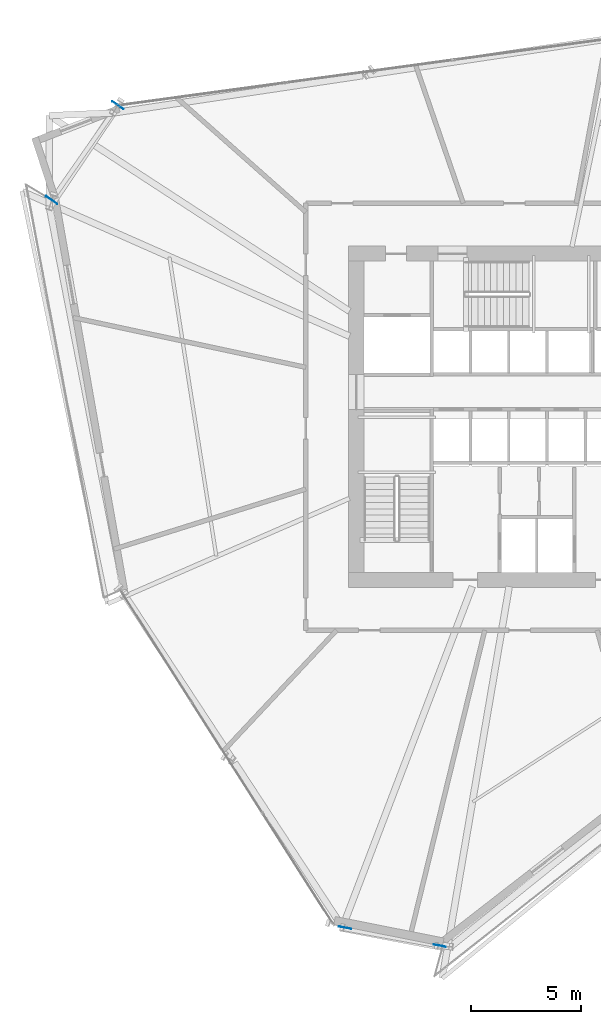
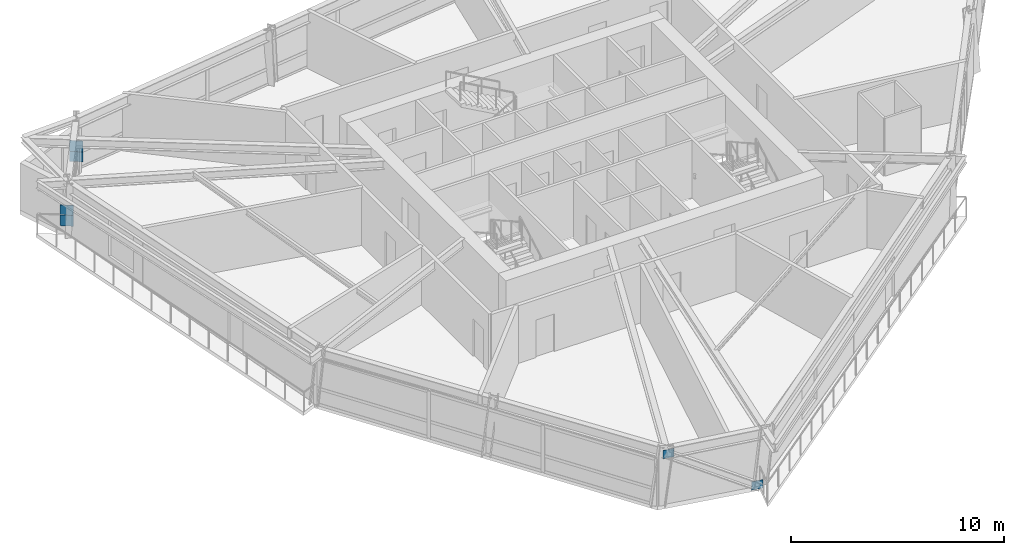
# One storey, part 9 of 16: 6 plates.
"""IFC4 building model written with IfcOpenShell, lengths in metres."""

from ifc_helpers import new_model, si_unit, direction, frame, origin, origin_2d, place, context, subcontext, project, spatial, rectangle, extrude, source, transform, mapped, material, type_object, element, save


model = new_model("IFC4")

# Units and contexts
model_context = context("Model", 3, precision=1e-05, world=origin(), true_north=direction((0.0, 1.0)))
body_context = subcontext(model_context, "Body", "Model", "MODEL_VIEW")
ifc_project = project(units=[si_unit("LENGTHUNIT", "METRE"), si_unit("AREAUNIT", "SQUARE_METRE"), si_unit("VOLUMEUNIT", "CUBIC_METRE"), si_unit("PLANEANGLEUNIT", "RADIAN"), si_unit("MASSUNIT", "GRAM", prefix="KILO")], contexts=[model_context])

# Site, building, storey
site_placement = place(None, origin())
site = spatial("IfcSite", under=ifc_project, at=site_placement, CompositionType="ELEMENT")
building_placement = place(site_placement, origin())
building = spatial("IfcBuilding", under=site, at=building_placement, Name="Olszyna Solenne Hotel", CompositionType="ELEMENT")
storey_placement = place(building_placement, frame((0.0, 0.0, 127.0)))
storey = spatial("IfcBuildingStorey", under=building, at=storey_placement, Name="L33", CompositionType="ELEMENT", Elevation=127.0)

# Plates
ifc_material_1 = material(Name="Steel S460M", Category="steel")
plate_type_1 = type_object("IfcPlateType", Name="GP-CAP2", PredefinedType="USERDEFINED", material=ifc_material_1)
shared_shape_1 = source(origin(), body_context, "Body", "SweptSolid", [
    extrude(rectangle(XDim=0.030029296875, YDim=0.6201171875, at=origin_2d()), origin(), (0.0, 0.0, 1.0), 0.6201171875),
])
for number, where, z_axis, x_axis, name in (
    (1, (18.86962890625, 40.821044921875, 1.0400390625), (0.0, 0.0, 1.0), (-0.572145873446, -0.820151875874, 0.0), "Hollow section end-cap plate GP-CAP2 CP-PR-M-L33-PR1-1"),
    (2, (15.84814453125, 36.489501953125, 1.0400390625), (0.0, 0.0, 1.0), (-0.572145873446, -0.820151875874, 0.0), "Hollow section end-cap plate GP-CAP2 CP-PR-M-L33-PR1-2"),
    (3, (18.86962890625, 40.821044921875, 0.469970703125), (0.0, 0.0, 1.0), (-0.572145873446, -0.820151875874, 0.0), "Hollow section end-cap plate GP-CAP2 CP-PR-M-L33-PR2-1"),
    (4, (15.84814453125, 36.489501953125, 0.469970703125), (0.0, 0.0, 1.0), (-0.572145873446, -0.820151875874, 0.0), "Hollow section end-cap plate GP-CAP2 CP-PR-M-L33-PR2-2"),
):
    element("IfcPlate", number, at=place(storey_placement, frame(where, z_axis=z_axis, x_axis=x_axis)), inside=storey, type_object=plate_type_1, Name=name, ObjectType="GUSSET_PLATE", PredefinedType="USERDEFINED", context=body_context, shape_type="MappedRepresentation", body=[
        mapped(shared_shape_1, transform((0.0, 0.0, 0.0), x_axis=(1.0, 0.0, 0.0), y_axis=(0.0, 1.0, 0.0), z_axis=(0.0, 0.0, 1.0), scale=1.0)),
    ])
ifc_material_2 = material(Name="Steel S355J2", Category="steel")
plate_type_2 = type_object("IfcPlateType", Name="GP-ND2", PredefinedType="USERDEFINED", material=ifc_material_2)
shared_shape_2 = source(origin(), body_context, "Body", "SweptSolid", [
    extrude(rectangle(XDim=0.56005859375, YDim=0.02001953125, at=origin_2d()), origin(), (0.0, 0.0, 1.0), 0.47998046875),
])
for number, where, z_axis, x_axis, name in (
    (5, (33.5712890625, 2.452392578125, -0.15478515625), (0.0, 0.0, 1.0), (-0.982417828176, 0.186695503109, 0.0), "Brace end connection gusset plate GP-ND2 EP-BR-L33-3-1"),
    (6, (29.242919921875, 3.275146484375, 2.65478515625), (0.0, 0.0, 1.0), (-0.982417828176, 0.186695503109, 0.0), "Brace end connection gusset plate GP-ND2 EP-BR-L33-3-2"),
):
    element("IfcPlate", number, at=place(storey_placement, frame(where, z_axis=z_axis, x_axis=x_axis)), inside=storey, type_object=plate_type_2, Name=name, ObjectType="GUSSET_PLATE", PredefinedType="USERDEFINED", context=body_context, shape_type="MappedRepresentation", body=[
        mapped(shared_shape_2, transform((0.0, 0.0, 0.0), x_axis=(1.0, 0.0, 0.0), y_axis=(0.0, 1.0, 0.0), z_axis=(0.0, 0.0, 1.0), scale=1.0)),
    ])

save(model, "model.ifc")
